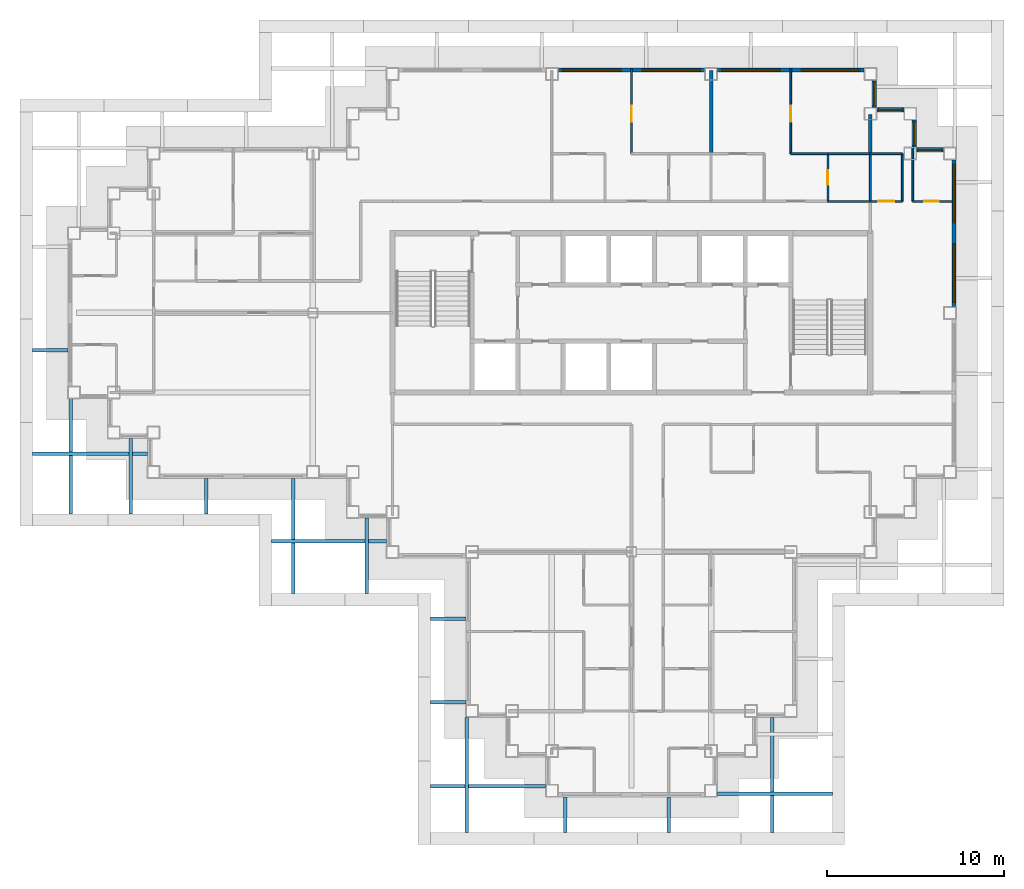
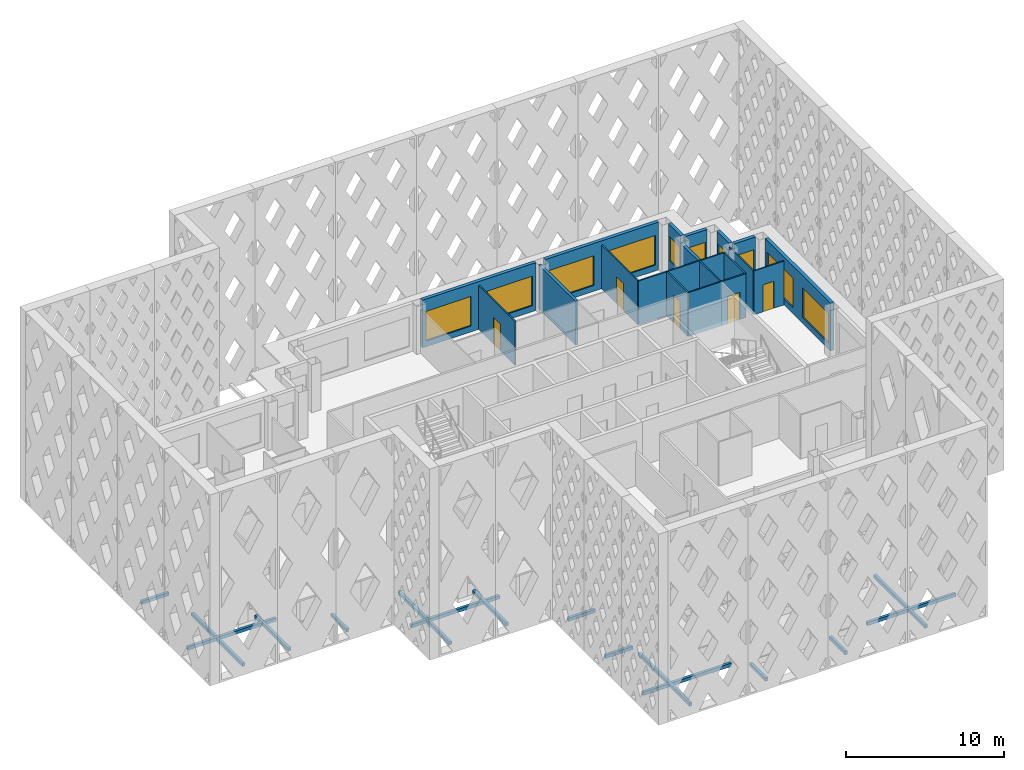
# One storey, part 7 of 17: 21 walls, 16 discrete accessories, 10 windows, 5 doors, 15 openings.
"""IFC4 building model written with IfcOpenShell, lengths in metres."""

from ifc_helpers import new_model, si_unit, direction, frame, frame_2d, origin, origin_2d, place, context, subcontext, project, spatial, rectangle, extrude, material, layer, layer_set, type_object, element, fill, save


model = new_model("IFC4")

# Units and contexts
model_context = context("Model", 3, precision=1e-05, world=origin(), true_north=direction((0.0, 1.0)))
body_context = subcontext(model_context, "Body", "Model", "MODEL_VIEW")
ifc_project = project(units=[si_unit("LENGTHUNIT", "METRE"), si_unit("AREAUNIT", "SQUARE_METRE"), si_unit("VOLUMEUNIT", "CUBIC_METRE"), si_unit("PLANEANGLEUNIT", "RADIAN"), si_unit("MASSUNIT", "GRAM", prefix="KILO")], contexts=[model_context])

# Site, building, storey
site_placement = place(None, origin())
site = spatial("IfcSite", under=ifc_project, at=site_placement, CompositionType="ELEMENT")
building_placement = place(site_placement, origin())
building = spatial("IfcBuilding", under=site, at=building_placement, Name="Caravel Reach Hotel and Residences", CompositionType="ELEMENT")
storey_placement = place(building_placement, frame((0.0, 0.0, 192.39990234375)))
storey = spatial("IfcBuildingStorey", under=building, at=storey_placement, Name="L48", CompositionType="ELEMENT", Elevation=192.39990234375)

# Wall
ifc_material_1 = material(Name="Gypsum board on steel stud", Category="steel")
ifc_layer_1 = layer(ifc_material_1, 0.10009765625)
ifc_layer_set_1 = layer_set([ifc_layer_1], Name="Bathroom pod wall 100 mm")
wall_type_1 = type_object("IfcWallType", Name="Bathroom pod wall 100 mm", PredefinedType="PARTITIONING", material=ifc_layer_set_1)
wall_1_placement = place(storey_placement, frame((42.60009765625, 33.300048828125, 0.0), z_axis=(0.0, 0.0, 1.0), x_axis=(1.0, 0.0, 0.0)))
element("IfcWall", 1, at=wall_1_placement, inside=storey, type_object=wall_type_1, Name="L48 wall w084", PredefinedType="PARTITIONING", context=body_context, shape_type="SweptSolid", body=[
    extrude(rectangle(XDim=2.39990234375, YDim=0.10009765625, at=frame_2d((1.199951171875, 0.0))), origin(), (0.0, 0.0, 1.0), 3.400146484375),
])

# Wall, opening, door
wall_2_placement = place(storey_placement, frame((47.39990234375, 33.300048828125, 0.0), z_axis=(0.0, 0.0, 1.0), x_axis=(1.0, 0.0, 0.0)))
wall_2 = element("IfcWall", 2, at=wall_2_placement, inside=storey, type_object=wall_type_1, Name="L48 wall w085", PredefinedType="PARTITIONING", context=body_context, shape_type="SweptSolid", body=[
    extrude(rectangle(XDim=2.2001953125, YDim=0.10009765625, at=frame_2d((1.10009765625, 0.0))), origin(), (0.0, 0.0, 1.0), 3.400146484375),
])
opening_1_placement = place(wall_2_placement, frame((0.64990234375, 0.0, 0.0)))
opening_1 = element("IfcOpeningElement", 3, at=opening_1_placement, cuts=wall_2, Name="Opening D48-046", PredefinedType="OPENING", context=body_context, shape_type="SweptSolid", body=[
    extrude(rectangle(XDim=0.800048828125, YDim=2.10009765625, at=frame_2d((0.39990234375, 1.050048828125))), frame((0.0, 0.06005859375, 0.0), z_axis=(0.0, -1.0, 0.0), x_axis=(1.0, 0.0, 0.0)), (0.0, 0.0, 1.0), 0.1201171875),
])
ifc_material_2 = material(Name="Timber and steel door leaf", Category="steel")
door_type_1 = type_object("IfcDoorType", Name="Bathroom door 800 x 2100", OperationType="SINGLE_SWING_LEFT", PredefinedType="DOOR", material=ifc_material_2)
door_1_placement = place(opening_1_placement, origin())
door_1 = element("IfcDoor", 4, at=door_1_placement, inside=storey, type_object=door_type_1, Name="door D48-046", OperationType="SINGLE_SWING_RIGHT", OverallHeight=2.10009765625, OverallWidth=0.800048828125, PredefinedType="DOOR", context=body_context, shape_type="SweptSolid", body=[
    extrude(rectangle(XDim=0.800048828125, YDim=2.10009765625, at=frame_2d((0.39990234375, 1.050048828125))), frame((0.0, 0.02490234375, 0.0), z_axis=(0.0, -1.0, 0.0), x_axis=(1.0, 0.0, 0.0)), (0.0, 0.0, 1.0), 0.050048828125),
])
fill(opening_1, door_1)

# Wall
wall_3_placement = place(storey_placement, frame((42.60009765625, 36.0, 0.0), z_axis=(0.0, 0.0, 1.0), x_axis=(1.0, 0.0, 0.0)))
element("IfcWall", 5, at=wall_3_placement, inside=storey, type_object=wall_type_1, Name="L48 wall w087", PredefinedType="PARTITIONING", context=body_context, shape_type="SweptSolid", body=[
    extrude(rectangle(XDim=2.39990234375, YDim=0.10009765625, at=frame_2d((1.199951171875, 0.0))), origin(), (0.0, 0.0, 1.0), 3.400146484375),
])

# Wall, opening, door
wall_4_placement = place(storey_placement, frame((42.60009765625, 33.300048828125, 0.0), z_axis=(0.0, 0.0, 1.0), x_axis=(0.0, 1.0, 0.0)))
wall_4 = element("IfcWall", 6, at=wall_4_placement, inside=storey, type_object=wall_type_1, Name="L48 wall w104", PredefinedType="PARTITIONING", context=body_context, shape_type="SweptSolid", body=[
    extrude(rectangle(XDim=2.699951171875, YDim=0.10009765625, at=frame_2d((1.35009765625, 0.0))), origin(), (0.0, 0.0, 1.0), 3.400146484375),
])
opening_2_placement = place(wall_4_placement, frame((0.949951171875, 0.0, 0.0)))
opening_2 = element("IfcOpeningElement", 7, at=opening_2_placement, cuts=wall_4, Name="Opening D48-023", PredefinedType="OPENING", context=body_context, shape_type="SweptSolid", body=[
    extrude(rectangle(XDim=0.800048828125, YDim=2.10009765625, at=frame_2d((0.39990234375, 1.050048828125))), frame((0.0, 0.06005859375, 0.0), z_axis=(0.0, -1.0, 0.0), x_axis=(1.0, 0.0, 0.0)), (0.0, 0.0, 1.0), 0.1201171875),
])
door_2_placement = place(opening_2_placement, origin())
door_2 = element("IfcDoor", 8, at=door_2_placement, inside=storey, type_object=door_type_1, Name="door D48-023", OperationType="SINGLE_SWING_RIGHT", OverallHeight=2.10009765625, OverallWidth=0.800048828125, PredefinedType="DOOR", context=body_context, shape_type="SweptSolid", body=[
    extrude(rectangle(XDim=0.800048828125, YDim=2.10009765625, at=frame_2d((0.39990234375, 1.050048828125))), frame((0.0, 0.02490234375, 0.0), z_axis=(0.0, -1.0, 0.0), x_axis=(1.0, 0.0, 0.0)), (0.0, 0.0, 1.0), 0.050048828125),
])
fill(opening_2, door_2)

# Walls
wall_5_placement = place(storey_placement, frame((45.0, 33.300048828125, 0.0), z_axis=(0.0, 0.0, 1.0), x_axis=(0.0, 1.0, 0.0)))
element("IfcWall", 9, at=wall_5_placement, inside=storey, type_object=wall_type_1, Name="L48 wall w105", PredefinedType="PARTITIONING", context=body_context, shape_type="SweptSolid", body=[
    extrude(rectangle(XDim=2.699951171875, YDim=0.10009765625, at=frame_2d((1.35009765625, 0.0))), origin(), (0.0, 0.0, 1.0), 3.400146484375),
])
wall_6_placement = place(storey_placement, frame((47.39990234375, 33.300048828125, 0.0), z_axis=(0.0, 0.0, 1.0), x_axis=(0.0, 1.0, 0.0)))
element("IfcWall", 10, at=wall_6_placement, inside=storey, type_object=wall_type_1, Name="L48 wall w106", PredefinedType="PARTITIONING", context=body_context, shape_type="SweptSolid", body=[
    extrude(rectangle(XDim=3.050048828125, YDim=0.10009765625, at=frame_2d((1.52490234375, 0.0))), origin(), (0.0, 0.0, 1.0), 3.400146484375),
])

# Wall, openings, windows
ifc_material_3 = material(Name="Insulated rainscreen wall, aluminium cladding", Category="aluminium")
ifc_layer_2 = layer(ifc_material_3, 0.25)
ifc_layer_set_2 = layer_set([ifc_layer_2], Name="EW1 Tower rainscreen wall")
wall_type_2 = type_object("IfcWallType", Name="EW1 Tower rainscreen wall", PredefinedType="SOLIDWALL", material=ifc_layer_set_2)
wall_7_placement = place(storey_placement, frame((49.72509765625, 27.35009765625, 0.0), z_axis=(0.0, 0.0, 1.0), x_axis=(0.0, 1.0, 0.0)))
wall_7 = element("IfcWall", 11, at=wall_7_placement, inside=storey, type_object=wall_type_2, Name="External wall L48 E6.2", PredefinedType="SOLIDWALL", context=body_context, shape_type="SweptSolid", body=[
    extrude(rectangle(XDim=8.2998046875, YDim=0.25, at=frame_2d((4.14990234375, 0.0))), origin(), (0.0, 0.0, 1.0), 3.7001953125),
])
opening_3_placement = place(wall_7_placement, frame((0.25, 0.0, 0.449951171875)))
opening_3 = element("IfcOpeningElement", 12, at=opening_3_placement, cuts=wall_7, Name="Opening WN15", PredefinedType="OPENING", context=body_context, shape_type="SweptSolid", body=[
    extrude(rectangle(XDim=3.300048828125, YDim=2.300048828125, at=frame_2d((1.64990234375, 1.14990234375))), frame((0.0, 0.135009765625, 0.0), z_axis=(0.0, -1.0, 0.0), x_axis=(1.0, 0.0, 0.0)), (0.0, 0.0, 1.0), 0.27001953125),
])
opening_4_placement = place(wall_7_placement, frame((4.75, 0.0, 0.449951171875)))
opening_4 = element("IfcOpeningElement", 13, at=opening_4_placement, cuts=wall_7, Name="Opening WN15", PredefinedType="OPENING", context=body_context, shape_type="SweptSolid", body=[
    extrude(rectangle(XDim=3.300048828125, YDim=2.300048828125, at=frame_2d((1.64990234375, 1.14990234375))), frame((0.0, 0.135009765625, 0.0), z_axis=(0.0, -1.0, 0.0), x_axis=(1.0, 0.0, 0.0)), (0.0, 0.0, 1.0), 0.27001953125),
])
ifc_material_4 = material(Name="Dark low-e glazing in black aluminium frame", Category="aluminium")
window_type_1 = type_object("IfcWindowType", Name="Residence living window 3300 x 2300", PartitioningType="SINGLE_PANEL", PredefinedType="WINDOW", material=ifc_material_4)
window_1_placement = place(opening_3_placement, origin())
window_1 = element("IfcWindow", 14, at=window_1_placement, inside=storey, type_object=window_type_1, Name="Window L48 E6.2.1", OverallHeight=2.300048828125, OverallWidth=3.300048828125, PartitioningType="SINGLE_PANEL", PredefinedType="WINDOW", context=body_context, shape_type="SweptSolid", body=[
    extrude(rectangle(XDim=3.300048828125, YDim=2.300048828125, at=frame_2d((1.64990234375, 1.14990234375))), frame((0.0, 0.030029296875, 0.0), z_axis=(0.0, -1.0, 0.0), x_axis=(1.0, 0.0, 0.0)), (0.0, 0.0, 1.0), 0.06005859375),
])
fill(opening_3, window_1)
window_2_placement = place(opening_4_placement, origin())
window_2 = element("IfcWindow", 15, at=window_2_placement, inside=storey, type_object=window_type_1, Name="Window L48 E6.2.2", OverallHeight=2.300048828125, OverallWidth=3.300048828125, PartitioningType="SINGLE_PANEL", PredefinedType="WINDOW", context=body_context, shape_type="SweptSolid", body=[
    extrude(rectangle(XDim=3.300048828125, YDim=2.300048828125, at=frame_2d((1.64990234375, 1.14990234375))), frame((0.0, 0.030029296875, 0.0), z_axis=(0.0, -1.0, 0.0), x_axis=(1.0, 0.0, 0.0)), (0.0, 0.0, 1.0), 0.06005859375),
])
fill(opening_4, window_2)

# Wall, opening, window
wall_8_placement = place(storey_placement, frame((49.14990234375, 36.22509765625, 0.0), z_axis=(0.0, 0.0, 1.0), x_axis=(-1.0, 0.0, 0.0)))
wall_8 = element("IfcWall", 16, at=wall_8_placement, inside=storey, type_object=wall_type_2, Name="External wall L48 N7.1", PredefinedType="SOLIDWALL", context=body_context, shape_type="SweptSolid", body=[
    extrude(rectangle(XDim=1.5498046875, YDim=0.25, at=frame_2d((0.77490234375, 0.0))), origin(), (0.0, 0.0, 1.0), 3.7001953125),
])
opening_5_placement = place(wall_8_placement, frame((0.10009765625, 0.0, 0.89990234375)))
opening_5 = element("IfcOpeningElement", 17, at=opening_5_placement, cuts=wall_8, Name="Opening WN21", PredefinedType="OPENING", context=body_context, shape_type="SweptSolid", body=[
    extrude(rectangle(XDim=1.35009765625, YDim=1.85009765625, at=frame_2d((0.675048828125, 0.925048828125))), frame((0.0, 0.135009765625, 0.0), z_axis=(0.0, -1.0, 0.0), x_axis=(1.0, 0.0, 0.0)), (0.0, 0.0, 1.0), 0.27001953125),
])
ifc_material_5 = material(Name="Dark low-e glazing in black aluminium frame", Category="aluminium")
window_type_2 = type_object("IfcWindowType", Name="Residence bedroom window 1350 x 1850", PartitioningType="SINGLE_PANEL", PredefinedType="WINDOW", material=ifc_material_5)
window_3_placement = place(opening_5_placement, origin())
window_3 = element("IfcWindow", 18, at=window_3_placement, inside=storey, type_object=window_type_2, Name="Window L48 N7.1.1", OverallHeight=1.85009765625, OverallWidth=1.35009765625, PartitioningType="SINGLE_PANEL", PredefinedType="WINDOW", context=body_context, shape_type="SweptSolid", body=[
    extrude(rectangle(XDim=1.35009765625, YDim=1.85009765625, at=frame_2d((0.675048828125, 0.925048828125))), frame((0.0, 0.030029296875, 0.0), z_axis=(0.0, -1.0, 0.0), x_axis=(1.0, 0.0, 0.0)), (0.0, 0.0, 1.0), 0.06005859375),
])
fill(opening_5, window_3)

wall_9_placement = place(storey_placement, frame((47.47509765625, 36.35009765625, 0.0), z_axis=(0.0, 0.0, 1.0), x_axis=(0.0, 1.0, 0.0)))
wall_9 = element("IfcWall", 19, at=wall_9_placement, inside=storey, type_object=wall_type_2, Name="External wall L48 E8.1", PredefinedType="SOLIDWALL", context=body_context, shape_type="SweptSolid", body=[
    extrude(rectangle(XDim=1.5498046875, YDim=0.25, at=frame_2d((0.77490234375, 0.0))), origin(), (0.0, 0.0, 1.0), 3.7001953125),
])
opening_6_placement = place(wall_9_placement, frame((0.10009765625, 0.0, 0.89990234375)))
opening_6 = element("IfcOpeningElement", 20, at=opening_6_placement, cuts=wall_9, Name="Opening WN21", PredefinedType="OPENING", context=body_context, shape_type="SweptSolid", body=[
    extrude(rectangle(XDim=1.35009765625, YDim=1.85009765625, at=frame_2d((0.675048828125, 0.925048828125))), frame((0.0, 0.135009765625, 0.0), z_axis=(0.0, -1.0, 0.0), x_axis=(1.0, 0.0, 0.0)), (0.0, 0.0, 1.0), 0.27001953125),
])
window_4_placement = place(opening_6_placement, origin())
window_4 = element("IfcWindow", 21, at=window_4_placement, inside=storey, type_object=window_type_2, Name="Window L48 E8.1.1", OverallHeight=1.85009765625, OverallWidth=1.35009765625, PartitioningType="SINGLE_PANEL", PredefinedType="WINDOW", context=body_context, shape_type="SweptSolid", body=[
    extrude(rectangle(XDim=1.35009765625, YDim=1.85009765625, at=frame_2d((0.675048828125, 0.925048828125))), frame((0.0, 0.030029296875, 0.0), z_axis=(0.0, -1.0, 0.0), x_axis=(1.0, 0.0, 0.0)), (0.0, 0.0, 1.0), 0.06005859375),
])
fill(opening_6, window_4)

wall_10_placement = place(storey_placement, frame((46.89990234375, 38.47509765625, 0.0), z_axis=(0.0, 0.0, 1.0), x_axis=(-1.0, 0.0, 0.0)))
wall_10 = element("IfcWall", 22, at=wall_10_placement, inside=storey, type_object=wall_type_2, Name="External wall L48 N9.1", PredefinedType="SOLIDWALL", context=body_context, shape_type="SweptSolid", body=[
    extrude(rectangle(XDim=1.5498046875, YDim=0.25, at=frame_2d((0.77490234375, 0.0))), origin(), (0.0, 0.0, 1.0), 3.7001953125),
])
opening_7_placement = place(wall_10_placement, frame((0.10009765625, 0.0, 0.89990234375)))
opening_7 = element("IfcOpeningElement", 23, at=opening_7_placement, cuts=wall_10, Name="Opening WN21", PredefinedType="OPENING", context=body_context, shape_type="SweptSolid", body=[
    extrude(rectangle(XDim=1.35009765625, YDim=1.85009765625, at=frame_2d((0.675048828125, 0.925048828125))), frame((0.0, 0.135009765625, 0.0), z_axis=(0.0, -1.0, 0.0), x_axis=(1.0, 0.0, 0.0)), (0.0, 0.0, 1.0), 0.27001953125),
])
window_5_placement = place(opening_7_placement, origin())
window_5 = element("IfcWindow", 24, at=window_5_placement, inside=storey, type_object=window_type_2, Name="Window L48 N9.1.1", OverallHeight=1.85009765625, OverallWidth=1.35009765625, PartitioningType="SINGLE_PANEL", PredefinedType="WINDOW", context=body_context, shape_type="SweptSolid", body=[
    extrude(rectangle(XDim=1.35009765625, YDim=1.85009765625, at=frame_2d((0.675048828125, 0.925048828125))), frame((0.0, 0.030029296875, 0.0), z_axis=(0.0, -1.0, 0.0), x_axis=(1.0, 0.0, 0.0)), (0.0, 0.0, 1.0), 0.06005859375),
])
fill(opening_7, window_5)

wall_11_placement = place(storey_placement, frame((45.22509765625, 38.60009765625, 0.0), z_axis=(0.0, 0.0, 1.0), x_axis=(0.0, 1.0, 0.0)))
wall_11 = element("IfcWall", 25, at=wall_11_placement, inside=storey, type_object=wall_type_2, Name="External wall L48 E10.1", PredefinedType="SOLIDWALL", context=body_context, shape_type="SweptSolid", body=[
    extrude(rectangle(XDim=1.5498046875, YDim=0.25, at=frame_2d((0.77490234375, 0.0))), origin(), (0.0, 0.0, 1.0), 3.7001953125),
])
opening_8_placement = place(wall_11_placement, frame((0.10009765625, 0.0, 0.89990234375)))
opening_8 = element("IfcOpeningElement", 26, at=opening_8_placement, cuts=wall_11, Name="Opening WN21", PredefinedType="OPENING", context=body_context, shape_type="SweptSolid", body=[
    extrude(rectangle(XDim=1.35009765625, YDim=1.85009765625, at=frame_2d((0.675048828125, 0.925048828125))), frame((0.0, 0.135009765625, 0.0), z_axis=(0.0, -1.0, 0.0), x_axis=(1.0, 0.0, 0.0)), (0.0, 0.0, 1.0), 0.27001953125),
])
window_6_placement = place(opening_8_placement, origin())
window_6 = element("IfcWindow", 27, at=window_6_placement, inside=storey, type_object=window_type_2, Name="Window L48 E10.1.1", OverallHeight=1.85009765625, OverallWidth=1.35009765625, PartitioningType="SINGLE_PANEL", PredefinedType="WINDOW", context=body_context, shape_type="SweptSolid", body=[
    extrude(rectangle(XDim=1.35009765625, YDim=1.85009765625, at=frame_2d((0.675048828125, 0.925048828125))), frame((0.0, 0.030029296875, 0.0), z_axis=(0.0, -1.0, 0.0), x_axis=(1.0, 0.0, 0.0)), (0.0, 0.0, 1.0), 0.06005859375),
])
fill(opening_8, window_6)

# Wall, openings, windows
wall_12_placement = place(storey_placement, frame((44.64990234375, 40.72509765625, 0.0), z_axis=(0.0, 0.0, 1.0), x_axis=(-1.0, 0.0, 0.0)))
wall_12 = element("IfcWall", 28, at=wall_12_placement, inside=storey, type_object=wall_type_2, Name="External wall L48 N11.1", PredefinedType="SOLIDWALL", context=body_context, shape_type="SweptSolid", body=[
    extrude(rectangle(XDim=8.2998046875, YDim=0.25, at=frame_2d((4.14990234375, 0.0))), origin(), (0.0, 0.0, 1.0), 3.7001953125),
])
opening_9_placement = place(wall_12_placement, frame((0.25, 0.0, 0.449951171875)))
opening_9 = element("IfcOpeningElement", 29, at=opening_9_placement, cuts=wall_12, Name="Opening WN15", PredefinedType="OPENING", context=body_context, shape_type="SweptSolid", body=[
    extrude(rectangle(XDim=3.300048828125, YDim=2.300048828125, at=frame_2d((1.64990234375, 1.14990234375))), frame((0.0, 0.135009765625, 0.0), z_axis=(0.0, -1.0, 0.0), x_axis=(1.0, 0.0, 0.0)), (0.0, 0.0, 1.0), 0.27001953125),
])
opening_10_placement = place(wall_12_placement, frame((4.75, 0.0, 0.449951171875)))
opening_10 = element("IfcOpeningElement", 30, at=opening_10_placement, cuts=wall_12, Name="Opening WN15", PredefinedType="OPENING", context=body_context, shape_type="SweptSolid", body=[
    extrude(rectangle(XDim=3.300048828125, YDim=2.300048828125, at=frame_2d((1.64990234375, 1.14990234375))), frame((0.0, 0.135009765625, 0.0), z_axis=(0.0, -1.0, 0.0), x_axis=(1.0, 0.0, 0.0)), (0.0, 0.0, 1.0), 0.27001953125),
])
window_7_placement = place(opening_9_placement, origin())
window_7 = element("IfcWindow", 31, at=window_7_placement, inside=storey, type_object=window_type_1, Name="Window L48 N11.1.1", OverallHeight=2.300048828125, OverallWidth=3.300048828125, PartitioningType="SINGLE_PANEL", PredefinedType="WINDOW", context=body_context, shape_type="SweptSolid", body=[
    extrude(rectangle(XDim=3.300048828125, YDim=2.300048828125, at=frame_2d((1.64990234375, 1.14990234375))), frame((0.0, 0.030029296875, 0.0), z_axis=(0.0, -1.0, 0.0), x_axis=(1.0, 0.0, 0.0)), (0.0, 0.0, 1.0), 0.06005859375),
])
fill(opening_9, window_7)
window_8_placement = place(opening_10_placement, origin())
window_8 = element("IfcWindow", 32, at=window_8_placement, inside=storey, type_object=window_type_1, Name="Window L48 N11.1.2", OverallHeight=2.300048828125, OverallWidth=3.300048828125, PartitioningType="SINGLE_PANEL", PredefinedType="WINDOW", context=body_context, shape_type="SweptSolid", body=[
    extrude(rectangle(XDim=3.300048828125, YDim=2.300048828125, at=frame_2d((1.64990234375, 1.14990234375))), frame((0.0, 0.030029296875, 0.0), z_axis=(0.0, -1.0, 0.0), x_axis=(1.0, 0.0, 0.0)), (0.0, 0.0, 1.0), 0.06005859375),
])
fill(opening_10, window_8)

wall_13_placement = place(storey_placement, frame((35.64990234375, 40.72509765625, 0.0), z_axis=(0.0, 0.0, 1.0), x_axis=(-1.0, 0.0, 0.0)))
wall_13 = element("IfcWall", 33, at=wall_13_placement, inside=storey, type_object=wall_type_2, Name="External wall L48 N11.2", PredefinedType="SOLIDWALL", context=body_context, shape_type="SweptSolid", body=[
    extrude(rectangle(XDim=8.2998046875, YDim=0.25, at=frame_2d((4.14990234375, 0.0))), origin(), (0.0, 0.0, 1.0), 3.7001953125),
])
opening_11_placement = place(wall_13_placement, frame((0.25, 0.0, 0.449951171875)))
opening_11 = element("IfcOpeningElement", 34, at=opening_11_placement, cuts=wall_13, Name="Opening WN15", PredefinedType="OPENING", context=body_context, shape_type="SweptSolid", body=[
    extrude(rectangle(XDim=3.300048828125, YDim=2.300048828125, at=frame_2d((1.64990234375, 1.14990234375))), frame((0.0, 0.135009765625, 0.0), z_axis=(0.0, -1.0, 0.0), x_axis=(1.0, 0.0, 0.0)), (0.0, 0.0, 1.0), 0.27001953125),
])
opening_12_placement = place(wall_13_placement, frame((4.75, 0.0, 0.449951171875)))
opening_12 = element("IfcOpeningElement", 35, at=opening_12_placement, cuts=wall_13, Name="Opening WN15", PredefinedType="OPENING", context=body_context, shape_type="SweptSolid", body=[
    extrude(rectangle(XDim=3.300048828125, YDim=2.300048828125, at=frame_2d((1.64990234375, 1.14990234375))), frame((0.0, 0.135009765625, 0.0), z_axis=(0.0, -1.0, 0.0), x_axis=(1.0, 0.0, 0.0)), (0.0, 0.0, 1.0), 0.27001953125),
])
window_9_placement = place(opening_11_placement, origin())
window_9 = element("IfcWindow", 36, at=window_9_placement, inside=storey, type_object=window_type_1, Name="Window L48 N11.2.1", OverallHeight=2.300048828125, OverallWidth=3.300048828125, PartitioningType="SINGLE_PANEL", PredefinedType="WINDOW", context=body_context, shape_type="SweptSolid", body=[
    extrude(rectangle(XDim=3.300048828125, YDim=2.300048828125, at=frame_2d((1.64990234375, 1.14990234375))), frame((0.0, 0.030029296875, 0.0), z_axis=(0.0, -1.0, 0.0), x_axis=(1.0, 0.0, 0.0)), (0.0, 0.0, 1.0), 0.06005859375),
])
fill(opening_11, window_9)
window_10_placement = place(opening_12_placement, origin())
window_10 = element("IfcWindow", 37, at=window_10_placement, inside=storey, type_object=window_type_1, Name="Window L48 N11.2.2", OverallHeight=2.300048828125, OverallWidth=3.300048828125, PartitioningType="SINGLE_PANEL", PredefinedType="WINDOW", context=body_context, shape_type="SweptSolid", body=[
    extrude(rectangle(XDim=3.300048828125, YDim=2.300048828125, at=frame_2d((1.64990234375, 1.14990234375))), frame((0.0, 0.030029296875, 0.0), z_axis=(0.0, -1.0, 0.0), x_axis=(1.0, 0.0, 0.0)), (0.0, 0.0, 1.0), 0.06005859375),
])
fill(opening_12, window_10)

# Wall, opening, door
ifc_material_6 = material(Name="Gypsum board on steel stud", Category="steel")
ifc_layer_3 = layer(ifc_material_6, 0.10009765625)
ifc_layer_set_3 = layer_set([ifc_layer_3], Name="Partition 100 mm")
wall_type_3 = type_object("IfcWallType", Name="Partition 100 mm", PredefinedType="PARTITIONING", material=ifc_layer_set_3)
wall_14_placement = place(storey_placement, frame((45.0, 33.300048828125, 0.0), z_axis=(0.0, 0.0, 1.0), x_axis=(1.0, 0.0, 0.0)))
wall_14 = element("IfcWall", 38, at=wall_14_placement, inside=storey, type_object=wall_type_3, Name="L48 wall w039", PredefinedType="PARTITIONING", context=body_context, shape_type="SweptSolid", body=[
    extrude(rectangle(XDim=1.800048828125, YDim=0.10009765625, at=frame_2d((0.89990234375, 0.0))), origin(), (0.0, 0.0, 1.0), 3.400146484375),
])
opening_13_placement = place(wall_14_placement, frame((0.449951171875, 0.0, 0.0)))
opening_13 = element("IfcOpeningElement", 39, at=opening_13_placement, cuts=wall_14, Name="Opening D48-047", PredefinedType="OPENING", context=body_context, shape_type="SweptSolid", body=[
    extrude(rectangle(XDim=0.89990234375, YDim=2.10009765625, at=frame_2d((0.449951171875, 1.050048828125))), frame((0.0, 0.06005859375, 0.0), z_axis=(0.0, -1.0, 0.0), x_axis=(1.0, 0.0, 0.0)), (0.0, 0.0, 1.0), 0.1201171875),
])
ifc_material_7 = material(Name="Timber and steel door leaf", Category="steel")
door_type_2 = type_object("IfcDoorType", Name="Door 900 x 2100 timber", OperationType="SINGLE_SWING_LEFT", PredefinedType="DOOR", material=ifc_material_7)
door_3_placement = place(opening_13_placement, origin())
door_3 = element("IfcDoor", 40, at=door_3_placement, inside=storey, type_object=door_type_2, Name="door D48-047", OperationType="SINGLE_SWING_LEFT", OverallHeight=2.10009765625, OverallWidth=0.89990234375, PredefinedType="DOOR", context=body_context, shape_type="SweptSolid", body=[
    extrude(rectangle(XDim=0.89990234375, YDim=2.10009765625, at=frame_2d((0.449951171875, 1.050048828125))), frame((0.0, 0.02490234375, 0.0), z_axis=(0.0, -1.0, 0.0), x_axis=(1.0, 0.0, 0.0)), (0.0, 0.0, 1.0), 0.050048828125),
])
fill(opening_13, door_3)

# Walls
wall_15_placement = place(storey_placement, frame((40.5, 36.0, 0.0), z_axis=(0.0, 0.0, 1.0), x_axis=(1.0, 0.0, 0.0)))
element("IfcWall", 41, at=wall_15_placement, inside=storey, type_object=wall_type_3, Name="L48 wall w042", PredefinedType="PARTITIONING", context=body_context, shape_type="SweptSolid", body=[
    extrude(rectangle(XDim=2.10009765625, YDim=0.10009765625, at=frame_2d((1.050048828125, 0.0))), origin(), (0.0, 0.0, 1.0), 3.400146484375),
])
wall_16_placement = place(storey_placement, frame((45.0, 36.0, 0.0), z_axis=(0.0, 0.0, 1.0), x_axis=(1.0, 0.0, 0.0)))
element("IfcWall", 42, at=wall_16_placement, inside=storey, type_object=wall_type_3, Name="L48 wall w044", PredefinedType="PARTITIONING", context=body_context, shape_type="SweptSolid", body=[
    extrude(rectangle(XDim=1.800048828125, YDim=0.10009765625, at=frame_2d((0.89990234375, 0.0))), origin(), (0.0, 0.0, 1.0), 3.400146484375),
])

# Wall, opening, door
wall_17_placement = place(storey_placement, frame((31.5, 36.0, 0.0), z_axis=(0.0, 0.0, 1.0), x_axis=(0.0, 1.0, 0.0)))
wall_17 = element("IfcWall", 43, at=wall_17_placement, inside=storey, type_object=wall_type_3, Name="L48 wall w058", PredefinedType="PARTITIONING", context=body_context, shape_type="SweptSolid", body=[
    extrude(rectangle(XDim=4.7900390625, YDim=0.10009765625, at=frame_2d((2.39501953125, 0.0))), origin(), (0.0, 0.0, 1.0), 3.400146484375),
])
opening_14_placement = place(wall_17_placement, frame((1.800048828125, 0.0, 0.0)))
opening_14 = element("IfcOpeningElement", 44, at=opening_14_placement, cuts=wall_17, Name="Opening D48-020", PredefinedType="OPENING", context=body_context, shape_type="SweptSolid", body=[
    extrude(rectangle(XDim=0.89990234375, YDim=2.10009765625, at=frame_2d((0.449951171875, 1.050048828125))), frame((0.0, 0.06005859375, 0.0), z_axis=(0.0, -1.0, 0.0), x_axis=(1.0, 0.0, 0.0)), (0.0, 0.0, 1.0), 0.1201171875),
])
door_4_placement = place(opening_14_placement, origin())
door_4 = element("IfcDoor", 45, at=door_4_placement, inside=storey, type_object=door_type_2, Name="door D48-020", OperationType="SINGLE_SWING_LEFT", OverallHeight=2.10009765625, OverallWidth=0.89990234375, PredefinedType="DOOR", context=body_context, shape_type="SweptSolid", body=[
    extrude(rectangle(XDim=0.89990234375, YDim=2.10009765625, at=frame_2d((0.449951171875, 1.050048828125))), frame((0.0, 0.02490234375, 0.0), z_axis=(0.0, -1.0, 0.0), x_axis=(1.0, 0.0, 0.0)), (0.0, 0.0, 1.0), 0.050048828125),
])
fill(opening_14, door_4)

wall_18_placement = place(storey_placement, frame((40.5, 36.0, 0.0), z_axis=(0.0, 0.0, 1.0), x_axis=(0.0, 1.0, 0.0)))
wall_18 = element("IfcWall", 46, at=wall_18_placement, inside=storey, type_object=wall_type_3, Name="L48 wall w065", PredefinedType="PARTITIONING", context=body_context, shape_type="SweptSolid", body=[
    extrude(rectangle(XDim=4.7900390625, YDim=0.10009765625, at=frame_2d((2.39501953125, 0.0))), origin(), (0.0, 0.0, 1.0), 3.400146484375),
])
opening_15_placement = place(wall_18_placement, frame((1.800048828125, 0.0, 0.0)))
opening_15 = element("IfcOpeningElement", 47, at=opening_15_placement, cuts=wall_18, Name="Opening D48-024", PredefinedType="OPENING", context=body_context, shape_type="SweptSolid", body=[
    extrude(rectangle(XDim=0.89990234375, YDim=2.10009765625, at=frame_2d((0.449951171875, 1.050048828125))), frame((0.0, 0.06005859375, 0.0), z_axis=(0.0, -1.0, 0.0), x_axis=(1.0, 0.0, 0.0)), (0.0, 0.0, 1.0), 0.1201171875),
])
door_5_placement = place(opening_15_placement, origin())
door_5 = element("IfcDoor", 48, at=door_5_placement, inside=storey, type_object=door_type_2, Name="door D48-024", OperationType="SINGLE_SWING_RIGHT", OverallHeight=2.10009765625, OverallWidth=0.89990234375, PredefinedType="DOOR", context=body_context, shape_type="SweptSolid", body=[
    extrude(rectangle(XDim=0.89990234375, YDim=2.10009765625, at=frame_2d((0.449951171875, 1.050048828125))), frame((0.0, 0.02490234375, 0.0), z_axis=(0.0, -1.0, 0.0), x_axis=(1.0, 0.0, 0.0)), (0.0, 0.0, 1.0), 0.050048828125),
])
fill(opening_15, door_5)

# Walls
wall_19_placement = place(storey_placement, frame((46.800048828125, 33.300048828125, 0.0), z_axis=(0.0, 0.0, 1.0), x_axis=(0.0, 1.0, 0.0)))
element("IfcWall", 49, at=wall_19_placement, inside=storey, type_object=wall_type_3, Name="L48 wall w068", PredefinedType="PARTITIONING", context=body_context, shape_type="SweptSolid", body=[
    extrude(rectangle(XDim=2.699951171875, YDim=0.10009765625, at=frame_2d((1.35009765625, 0.0))), origin(), (0.0, 0.0, 1.0), 3.400146484375),
])
ifc_material_8 = material(Name="Autoclaved aerated block wall")
ifc_layer_4 = layer(ifc_material_8, 0.199951171875)
ifc_layer_set_4 = layer_set([ifc_layer_4], Name="Party wall 200 mm EI 60")
wall_type_4 = type_object("IfcWallType", Name="Party wall 200 mm EI 60", PredefinedType="PARTITIONING", material=ifc_layer_set_4)
wall_20_placement = place(storey_placement, frame((36.0, 36.0, 0.0), z_axis=(0.0, 0.0, 1.0), x_axis=(0.0, 1.0, 0.0)))
element("IfcWall", 50, at=wall_20_placement, inside=storey, type_object=wall_type_4, Name="L48 wall w074", PredefinedType="PARTITIONING", context=body_context, shape_type="SweptSolid", body=[
    extrude(rectangle(XDim=4.68994140625, YDim=0.199951171875, at=frame_2d((2.344970703125, 0.0))), origin(), (0.0, 0.0, 1.0), 3.400146484375),
])
wall_21_placement = place(storey_placement, frame((45.0, 36.0, 0.0), z_axis=(0.0, 0.0, 1.0), x_axis=(0.0, 1.0, 0.0)))
element("IfcWall", 51, at=wall_21_placement, inside=storey, type_object=wall_type_4, Name="L48 wall w076", PredefinedType="PARTITIONING", context=body_context, shape_type="SweptSolid", body=[
    extrude(rectangle(XDim=2.199951171875, YDim=0.199951171875, at=frame_2d((1.10009765625, 0.0))), origin(), (0.0, 0.0, 1.0), 3.400146484375),
])

# Discrete accessories
ifc_material_9 = material(Name="Black powder-coated aluminium", Category="aluminium")
discrete_accessory_type = type_object("IfcDiscreteAccessoryType", Name="BR1 Screen bracket", PredefinedType="BRACKET", material=ifc_material_9)
discrete_accessory_1_placement = place(storey_placement, frame((39.60009765625, -0.169921875, 0.10009765625), z_axis=(0.0, 0.0, 1.0), x_axis=(1.0, 0.0, 0.0)))
element("IfcDiscreteAccessory", 52, at=discrete_accessory_1_placement, inside=storey, type_object=discrete_accessory_type, Name="Screen bracket L48 1.1.1", PredefinedType="BRACKET", context=body_context, shape_type="SweptSolid", body=[
    extrude(rectangle(XDim=6.5, YDim=0.199951171875, at=origin_2d()), origin(), (0.0, 0.0, 1.0), 0.25),
])
discrete_accessory_2_placement = place(storey_placement, frame((-1.35009765625, 24.89501953125, 0.10009765625), z_axis=(0.0, 0.0, 1.0), x_axis=(-1.0, 0.0, 0.0)))
element("IfcDiscreteAccessory", 53, at=discrete_accessory_2_placement, inside=storey, type_object=discrete_accessory_type, Name="Screen bracket L48 7.3.1", PredefinedType="BRACKET", context=body_context, shape_type="SweptSolid", body=[
    extrude(rectangle(XDim=2.0, YDim=0.199951171875, at=origin_2d()), origin(), (0.0, 0.0, 1.0), 0.25),
])
for number, where, z_axis, x_axis, name in (
    (54, (0.89990234375, 19.044921875, 0.10009765625), (0.0, 0.0, 1.0), (-1.0, 0.0, 0.0), "Screen bracket L48 7.4.1"),
    (55, (-0.169921875, 18.89990234375, 0.10009765625), (0.0, 0.0, 1.0), (0.0, -1.0, 0.0), "Screen bracket L48 8.1.1"),
):
    element("IfcDiscreteAccessory", number, at=place(storey_placement, frame(where, z_axis=z_axis, x_axis=x_axis)), inside=storey, type_object=discrete_accessory_type, Name=name, PredefinedType="BRACKET", context=body_context, shape_type="SweptSolid", body=[
        extrude(rectangle(XDim=6.5, YDim=0.199951171875, at=origin_2d()), origin(), (0.0, 0.0, 1.0), 0.25),
    ])
discrete_accessory_3_placement = place(storey_placement, frame((3.19677734375, 17.77490234375, 0.10009765625), z_axis=(0.0, 0.0, 1.0), x_axis=(0.0, -1.0, 0.0)))
element("IfcDiscreteAccessory", 56, at=discrete_accessory_3_placement, inside=storey, type_object=discrete_accessory_type, Name="Screen bracket L48 8.2.1", PredefinedType="BRACKET", context=body_context, shape_type="SweptSolid", body=[
    extrude(rectangle(XDim=4.25, YDim=0.199951171875, at=origin_2d()), origin(), (0.0, 0.0, 1.0), 0.25),
])
discrete_accessory_4_placement = place(storey_placement, frame((7.46337890625, 16.64990234375, 0.10009765625), z_axis=(0.0, 0.0, 1.0), x_axis=(0.0, -1.0, 0.0)))
element("IfcDiscreteAccessory", 57, at=discrete_accessory_4_placement, inside=storey, type_object=discrete_accessory_type, Name="Screen bracket L48 8.3.1", PredefinedType="BRACKET", context=body_context, shape_type="SweptSolid", body=[
    extrude(rectangle(XDim=2.0, YDim=0.199951171875, at=origin_2d()), origin(), (0.0, 0.0, 1.0), 0.25),
])
for number, where, z_axis, x_axis, name in (
    (58, (14.39990234375, 14.090087890625, 0.10009765625), (0.0, 0.0, 1.0), (-1.0, 0.0, 0.0), "Screen bracket L48 9.1.1"),
    (59, (12.39501953125, 14.39990234375, 0.10009765625), (0.0, 0.0, 1.0), (0.0, -1.0, 0.0), "Screen bracket L48 10.1.1"),
):
    element("IfcDiscreteAccessory", number, at=place(storey_placement, frame(where, z_axis=z_axis, x_axis=x_axis)), inside=storey, type_object=discrete_accessory_type, Name=name, PredefinedType="BRACKET", context=body_context, shape_type="SweptSolid", body=[
        extrude(rectangle(XDim=6.5, YDim=0.199951171875, at=origin_2d()), origin(), (0.0, 0.0, 1.0), 0.25),
    ])
discrete_accessory_5_placement = place(storey_placement, frame((16.544921875, 13.27490234375, 0.10009765625), z_axis=(0.0, 0.0, 1.0), x_axis=(0.0, -1.0, 0.0)))
element("IfcDiscreteAccessory", 60, at=discrete_accessory_5_placement, inside=storey, type_object=discrete_accessory_type, Name="Screen bracket L48 10.2.1", PredefinedType="BRACKET", context=body_context, shape_type="SweptSolid", body=[
    extrude(rectangle(XDim=4.25, YDim=0.199951171875, at=origin_2d()), origin(), (0.0, 0.0, 1.0), 0.25),
])
for number, where, z_axis, x_axis, name in (
    (61, (21.14990234375, 9.72998046875, 0.10009765625), (0.0, 0.0, 1.0), (-1.0, 0.0, 0.0), "Screen bracket L48 11.1.1"),
    (62, (21.14990234375, 4.99658203125, 0.10009765625), (0.0, 0.0, 1.0), (-1.0, 0.0, 0.0), "Screen bracket L48 11.2.1"),
):
    element("IfcDiscreteAccessory", number, at=place(storey_placement, frame(where, z_axis=z_axis, x_axis=x_axis)), inside=storey, type_object=discrete_accessory_type, Name=name, PredefinedType="BRACKET", context=body_context, shape_type="SweptSolid", body=[
        extrude(rectangle(XDim=2.0, YDim=0.199951171875, at=origin_2d()), origin(), (0.0, 0.0, 1.0), 0.25),
    ])
for number, where, z_axis, x_axis, name in (
    (63, (23.39990234375, 0.263427734375, 0.10009765625), (0.0, 0.0, 1.0), (-1.0, 0.0, 0.0), "Screen bracket L48 11.3.1"),
    (64, (22.205078125, 0.89990234375, 0.10009765625), (0.0, 0.0, 1.0), (0.0, -1.0, 0.0), "Screen bracket L48 12.1.1"),
):
    element("IfcDiscreteAccessory", number, at=place(storey_placement, frame(where, z_axis=z_axis, x_axis=x_axis)), inside=storey, type_object=discrete_accessory_type, Name=name, PredefinedType="BRACKET", context=body_context, shape_type="SweptSolid", body=[
        extrude(rectangle(XDim=6.5, YDim=0.199951171875, at=origin_2d()), origin(), (0.0, 0.0, 1.0), 0.25),
    ])
for number, where, z_axis, x_axis, name in (
    (65, (27.7548828125, -1.35009765625, 0.10009765625), (0.0, 0.0, 1.0), (0.0, -1.0, 0.0), "Screen bracket L48 12.2.1"),
    (66, (33.60498046875, -1.35009765625, 0.10009765625), (0.0, 0.0, 1.0), (0.0, -1.0, 0.0), "Screen bracket L48 12.3.1"),
):
    element("IfcDiscreteAccessory", number, at=place(storey_placement, frame(where, z_axis=z_axis, x_axis=x_axis)), inside=storey, type_object=discrete_accessory_type, Name=name, PredefinedType="BRACKET", context=body_context, shape_type="SweptSolid", body=[
        extrude(rectangle(XDim=2.0, YDim=0.199951171875, at=origin_2d()), origin(), (0.0, 0.0, 1.0), 0.25),
    ])
discrete_accessory_6_placement = place(storey_placement, frame((39.455078125, 0.89990234375, 0.10009765625), z_axis=(0.0, 0.0, 1.0), x_axis=(0.0, -1.0, 0.0)))
element("IfcDiscreteAccessory", 67, at=discrete_accessory_6_placement, inside=storey, type_object=discrete_accessory_type, Name="Screen bracket L48 12.4.1", PredefinedType="BRACKET", context=body_context, shape_type="SweptSolid", body=[
    extrude(rectangle(XDim=6.5, YDim=0.199951171875, at=origin_2d()), origin(), (0.0, 0.0, 1.0), 0.25),
])

save(model, "model.ifc")
